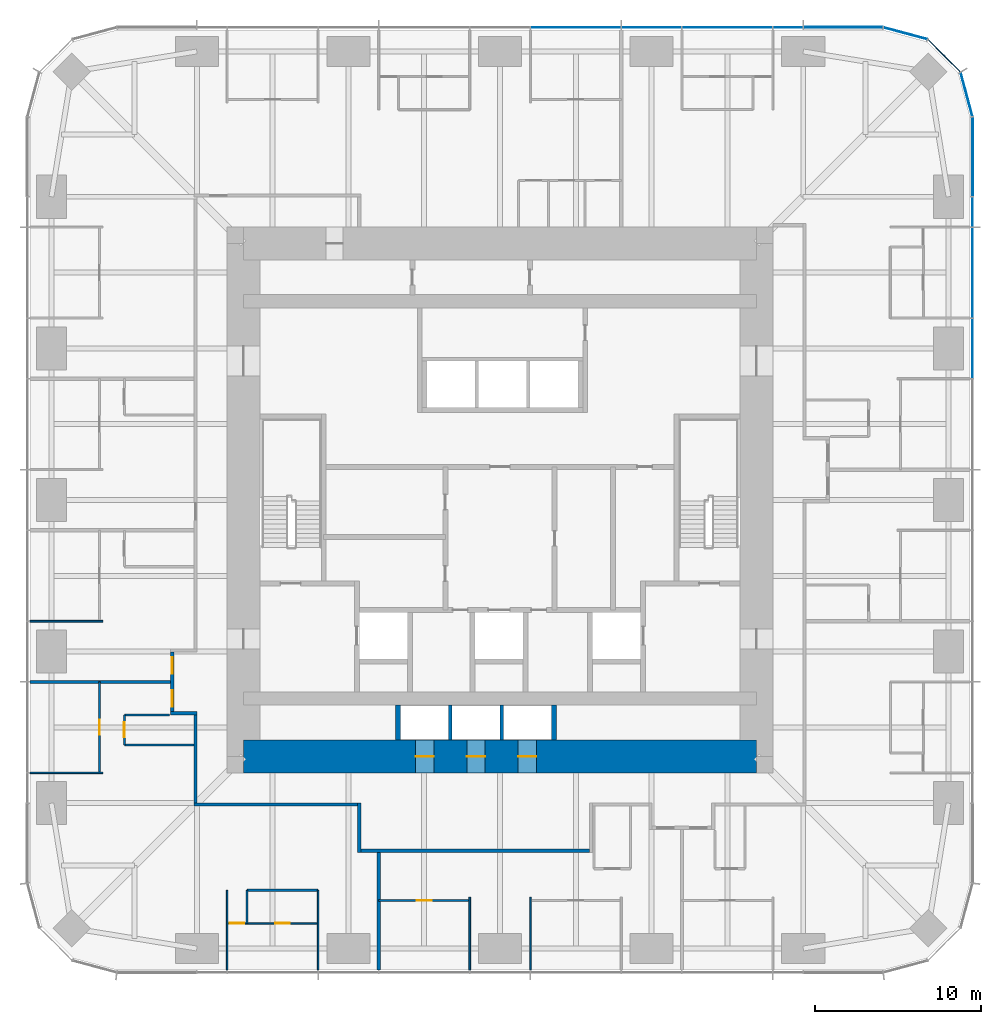
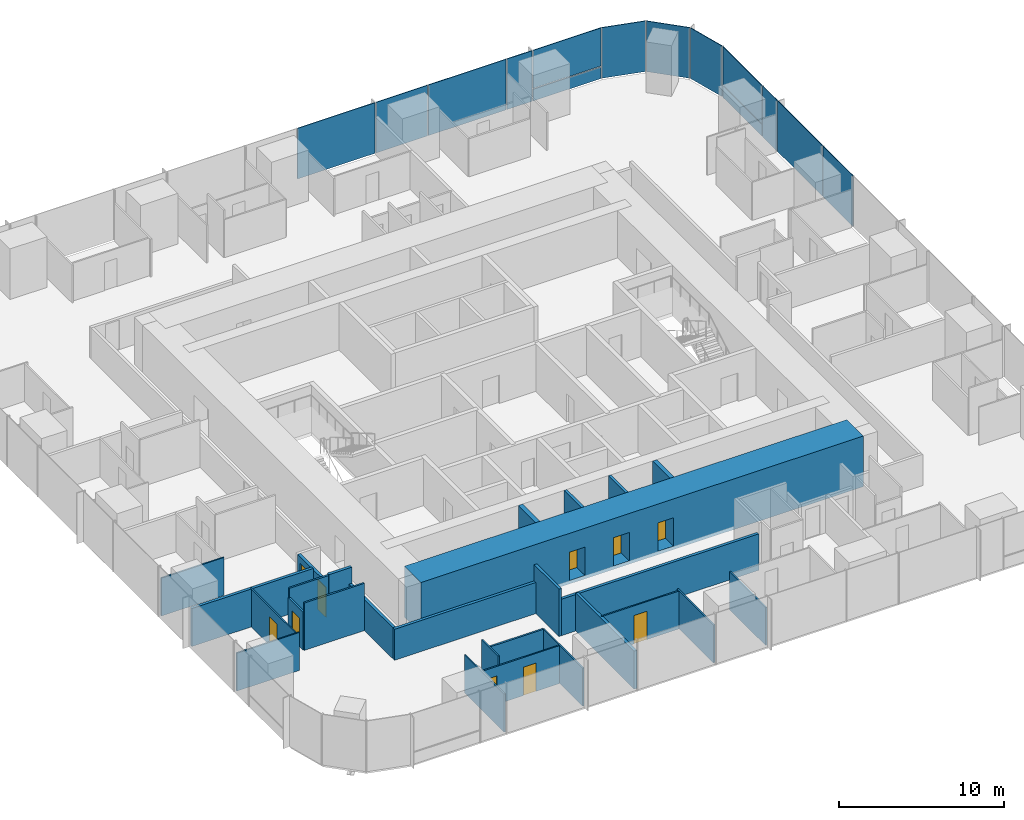
# One storey, part 8 of 13: 27 walls, 14 plates, 10 doors, 10 openings, 3 elements without a shape of their own.
"""IFC4 building model written with IfcOpenShell, lengths in metres."""

from ifc_helpers import new_model, si_unit, direction, frame, frame_2d, origin, origin_2d, place, context, subcontext, project, spatial, rectangle, extrude, material, layer, layer_set, type_object, element, fill, aggregate, save


model = new_model("IFC4")

# Units and contexts
model_context = context("Model", 3, precision=1e-05, world=origin(), true_north=direction((0.0, 1.0)))
body_context = subcontext(model_context, "Body", "Model", "MODEL_VIEW")
ifc_project = project(units=[si_unit("LENGTHUNIT", "METRE"), si_unit("AREAUNIT", "SQUARE_METRE"), si_unit("VOLUMEUNIT", "CUBIC_METRE"), si_unit("PLANEANGLEUNIT", "RADIAN"), si_unit("MASSUNIT", "GRAM", prefix="KILO")], contexts=[model_context])

# Site, building, storey
site_placement = place(None, origin())
site = spatial("IfcSite", under=ifc_project, at=site_placement, CompositionType="ELEMENT")
building_placement = place(site_placement, origin())
building = spatial("IfcBuilding", under=site, at=building_placement, Name="Khuree Lantern Residences", CompositionType="ELEMENT")
storey_placement = place(building_placement, frame((0.0, 0.0, 156.0)))
storey = spatial("IfcBuildingStorey", under=building, at=storey_placement, Name="L39", CompositionType="ELEMENT", Elevation=156.0)

# Curtain wall, plates
ifc_material_1 = material(Name="Bronze anodised aluminium", Category="aluminium")
curtain_wall_type_1 = type_object("IfcCurtainWallType", Name="CW-T2 TOWER CORNER CURTAIN WALL", PredefinedType="USERDEFINED", material=ifc_material_1)
curtain_wall_1_placement = place(storey_placement, origin())
curtain_wall_1 = element("IfcCurtainWall", 1, at=curtain_wall_1_placement, inside=storey, type_object=curtain_wall_type_1, Name="L39 NORTH-EAST CORNER CURTAIN WALL", ObjectType="Faceted corner curtain wall", PredefinedType="USERDEFINED")
ifc_material_2 = material(Name="Bronze tinted triple glazing", Category="glass")
ifc_layer_1 = layer(ifc_material_2, 0.048095703125)
ifc_layer_set_1 = layer_set([ifc_layer_1], Name="FACET PANEL P4")
plate_type_1 = type_object("IfcPlateType", Name="FACET PANEL P4", PredefinedType="CURTAIN_PANEL", material=ifc_layer_set_1)
plate_1_placement = place(storey_placement, frame((28.188720703125, 24.498046875, 0.0), z_axis=(0.0, 0.0, 1.0), x_axis=(-0.258819105321, 0.965925810153, 0.0)))
plate_1 = element("IfcPlate", 2, at=plate_1_placement, type_object=plate_type_1, Name="L39 NORTH-EAST CORNER PANEL 15.1", PredefinedType="CURTAIN_PANEL", context=body_context, shape_type="SweptSolid", body=[
    extrude(rectangle(XDim=2.71923828125, YDim=0.048095703125, at=origin_2d()), origin(), (0.0, 0.0, 1.0), 3.75),
])
plate_2_placement = place(storey_placement, frame((26.83837890625, 26.83837890625, 0.0), z_axis=(0.0, 0.0, 1.0), x_axis=(-0.707106781187, 0.707106781187, 0.0)))
plate_2 = element("IfcPlate", 3, at=plate_2_placement, type_object=plate_type_1, Name="L39 NORTH-EAST CORNER PANEL 16.1", PredefinedType="CURTAIN_PANEL", context=body_context, shape_type="SweptSolid", body=[
    extrude(rectangle(XDim=2.715087890625, YDim=0.048095703125, at=origin_2d()), origin(), (0.0, 0.0, 1.0), 3.75),
])
plate_3_placement = place(storey_placement, frame((24.498046875, 28.188720703125, 0.0), z_axis=(0.0, 0.0, 1.0), x_axis=(-0.965925810153, 0.258819105321, 0.0)))
plate_3 = element("IfcPlate", 4, at=plate_3_placement, type_object=plate_type_1, Name="L39 NORTH-EAST CORNER PANEL 17.1", PredefinedType="CURTAIN_PANEL", context=body_context, shape_type="SweptSolid", body=[
    extrude(rectangle(XDim=2.71923828125, YDim=0.048095703125, at=origin_2d()), origin(), (0.0, 0.0, 1.0), 3.75),
])
aggregate(curtain_wall_1, [plate_1, plate_2, plate_3])

# Curtain wall, plate
curtain_wall_type_2 = type_object("IfcCurtainWallType", Name="CW-T1 TOWER FACE CURTAIN WALL", PredefinedType="USERDEFINED", material=ifc_material_1)
curtain_wall_2_placement = place(storey_placement, origin())
curtain_wall_2 = element("IfcCurtainWall", 5, at=curtain_wall_2_placement, inside=storey, type_object=curtain_wall_type_2, Name="L39 EAST FACE CURTAIN WALL", ObjectType="Stick-built curtain wall", PredefinedType="USERDEFINED")
ifc_material_3 = material(Name="Bronze tinted triple glazing with a ceramic-fritted spandrel band", Category="glass")
ifc_layer_2 = layer(ifc_material_3, 0.048095703125)
ifc_layer_set_2 = layer_set([ifc_layer_2], Name="FIXED LIGHT PANEL P11")
plate_type_2 = type_object("IfcPlateType", Name="FIXED LIGHT PANEL P11", PredefinedType="CURTAIN_PANEL", material=ifc_layer_set_2)
plate_4_placement = place(storey_placement, frame((28.550048828125, 13.739990234375, 0.0), z_axis=(0.0, 0.0, 1.0), x_axis=(0.0, 1.0, 0.0)))
plate_4 = element("IfcPlate", 6, at=plate_4_placement, type_object=plate_type_2, Name="L39 EAST FACE PANEL 12.1", PredefinedType="CURTAIN_PANEL", context=body_context, shape_type="SweptSolid", body=[
    extrude(rectangle(XDim=5.430908203125, YDim=0.048095703125, at=origin_2d()), origin(), (0.0, 0.0, 1.0), 3.75),
])

# Curtain wall, plates
curtain_wall_3_placement = place(storey_placement, origin())
curtain_wall_3 = element("IfcCurtainWall", 7, at=curtain_wall_3_placement, inside=storey, type_object=curtain_wall_type_2, Name="L39 NORTH FACE CURTAIN WALL", ObjectType="Stick-built curtain wall", PredefinedType="USERDEFINED")
plate_5_placement = place(storey_placement, frame((13.739990234375, 28.550048828125, 0.0), z_axis=(0.0, 0.0, 1.0), x_axis=(-1.0, 0.0, 0.0)))
plate_5 = element("IfcPlate", 8, at=plate_5_placement, type_object=plate_type_2, Name="L39 NORTH FACE PANEL 20.1", PredefinedType="CURTAIN_PANEL", context=body_context, shape_type="SweptSolid", body=[
    extrude(rectangle(XDim=5.430908203125, YDim=0.048095703125, at=origin_2d()), origin(), (0.0, 0.0, 1.0), 3.75),
])
plate_6_placement = place(storey_placement, frame((4.580078125, 28.550048828125, 0.0), z_axis=(0.0, 0.0, 1.0), x_axis=(-1.0, 0.0, 0.0)))
plate_6 = element("IfcPlate", 9, at=plate_6_placement, type_object=plate_type_2, Name="L39 NORTH FACE PANEL 22.1", PredefinedType="CURTAIN_PANEL", context=body_context, shape_type="SweptSolid", body=[
    extrude(rectangle(XDim=5.430908203125, YDim=0.048095703125, at=origin_2d()), origin(), (0.0, 0.0, 1.0), 3.75),
])

# Plate
ifc_material_4 = material(Name="Bronze tinted triple glazing, two aluminium-framed sashes in one frame", Category="aluminium")
ifc_layer_3 = layer(ifc_material_4, 0.048095703125)
ifc_layer_set_3 = layer_set([ifc_layer_3], Name="SASH PAIR PANEL P12")
plate_type_3 = type_object("IfcPlateType", Name="SASH PAIR PANEL P12", PredefinedType="CURTAIN_PANEL", material=ifc_layer_set_3)
plate_7_placement = place(storey_placement, frame((28.550048828125, 9.159912109375, 0.0), z_axis=(0.0, 0.0, 1.0), x_axis=(0.0, 1.0, 0.0)))
plate_7 = element("IfcPlate", 10, at=plate_7_placement, type_object=plate_type_3, Name="L39 EAST FACE PANEL 11.1", PredefinedType="CURTAIN_PANEL", context=body_context, shape_type="SweptSolid", body=[
    extrude(rectangle(XDim=3.59912109375, YDim=0.048095703125, at=origin_2d()), origin(), (0.0, 0.0, 1.0), 3.75),
])

plate_8_placement = place(storey_placement, frame((9.159912109375, 28.550048828125, 0.0), z_axis=(0.0, 0.0, 1.0), x_axis=(-1.0, 0.0, 0.0)))
plate_8 = element("IfcPlate", 11, at=plate_8_placement, type_object=plate_type_3, Name="L39 NORTH FACE PANEL 21.1", PredefinedType="CURTAIN_PANEL", context=body_context, shape_type="SweptSolid", body=[
    extrude(rectangle(XDim=3.59912109375, YDim=0.048095703125, at=origin_2d()), origin(), (0.0, 0.0, 1.0), 3.75),
])

ifc_material_5 = material(Name="Bronze tinted triple glazing, aluminium-framed sash", Category="aluminium")
ifc_layer_4 = layer(ifc_material_5, 0.048095703125)
ifc_layer_set_4 = layer_set([ifc_layer_4], Name="SASH PANEL P3")
plate_type_4 = type_object("IfcPlateType", Name="SASH PANEL P3", PredefinedType="CURTAIN_PANEL", material=ifc_layer_set_4)
plate_9_placement = place(storey_placement, frame((28.550048828125, 17.404052734375, 0.0), z_axis=(0.0, 0.0, 1.0), x_axis=(0.0, 1.0, 0.0)))
plate_9 = element("IfcPlate", 12, at=plate_9_placement, type_object=plate_type_4, Name="L39 EAST FACE PANEL 13.1", PredefinedType="CURTAIN_PANEL", context=body_context, shape_type="SweptSolid", body=[
    extrude(rectangle(XDim=1.76708984375, YDim=0.048095703125, at=origin_2d()), origin(), (0.0, 0.0, 1.0), 3.75),
])

plate_10_placement = place(storey_placement, frame((17.404052734375, 28.550048828125, 0.0), z_axis=(0.0, 0.0, 1.0), x_axis=(-1.0, 0.0, 0.0)))
plate_10 = element("IfcPlate", 13, at=plate_10_placement, type_object=plate_type_4, Name="L39 NORTH FACE PANEL 19.1", PredefinedType="CURTAIN_PANEL", context=body_context, shape_type="SweptSolid", body=[
    extrude(rectangle(XDim=1.76708984375, YDim=0.048095703125, at=origin_2d()), origin(), (0.0, 0.0, 1.0), 3.75),
])

ifc_material_6 = material(Name="Bronze anodised aluminium insulated spandrel", Category="aluminium")
ifc_layer_5 = layer(ifc_material_6, 0.06005859375)
ifc_layer_set_5 = layer_set([ifc_layer_5], Name="SPANDREL PANEL P2")
plate_type_5 = type_object("IfcPlateType", Name="SPANDREL PANEL P2", PredefinedType="CURTAIN_PANEL", material=ifc_layer_set_5)
plate_11_placement = place(storey_placement, frame((28.550048828125, 20.73291015625, 0.0), z_axis=(0.0, 0.0, 1.0), x_axis=(0.0, 1.0, 0.0)))
plate_11 = element("IfcPlate", 14, at=plate_11_placement, type_object=plate_type_5, Name="L39 EAST FACE PANEL 14.1", PredefinedType="CURTAIN_PANEL", context=body_context, shape_type="SweptSolid", body=[
    extrude(rectangle(XDim=4.7607421875, YDim=0.06005859375, at=origin_2d()), origin(), (0.0, 0.0, 1.0), 0.867431640625),
])

plate_12_placement = place(storey_placement, frame((20.73291015625, 28.550048828125, 0.0), z_axis=(0.0, 0.0, 1.0), x_axis=(-1.0, 0.0, 0.0)))
plate_12 = element("IfcPlate", 15, at=plate_12_placement, type_object=plate_type_5, Name="L39 NORTH FACE PANEL 18.1", PredefinedType="CURTAIN_PANEL", context=body_context, shape_type="SweptSolid", body=[
    extrude(rectangle(XDim=4.7607421875, YDim=0.06005859375, at=origin_2d()), origin(), (0.0, 0.0, 1.0), 0.867431640625),
])

ifc_layer_6 = layer(ifc_material_2, 0.048095703125)
ifc_layer_set_6 = layer_set([ifc_layer_6], Name="VISION PANEL P1")
plate_type_6 = type_object("IfcPlateType", Name="VISION PANEL P1", PredefinedType="CURTAIN_PANEL", material=ifc_layer_set_6)
plate_13_placement = place(storey_placement, frame((28.550048828125, 20.7333984375, 0.9326171875), z_axis=(0.0, 0.0, 1.0), x_axis=(0.0, 1.0, 0.0)))
plate_13 = element("IfcPlate", 16, at=plate_13_placement, type_object=plate_type_6, Name="L39 EAST FACE PANEL 14.2", PredefinedType="CURTAIN_PANEL", context=body_context, shape_type="SweptSolid", body=[
    extrude(rectangle(XDim=4.761474609375, YDim=0.048095703125, at=origin_2d()), origin(), (0.0, 0.0, 1.0), 2.8173828125),
])

aggregate(curtain_wall_2, [plate_7, plate_4, plate_9, plate_11, plate_13])

plate_14_placement = place(storey_placement, frame((20.7333984375, 28.550048828125, 0.9326171875), z_axis=(0.0, 0.0, 1.0), x_axis=(-1.0, 0.0, 0.0)))
plate_14 = element("IfcPlate", 17, at=plate_14_placement, type_object=plate_type_6, Name="L39 NORTH FACE PANEL 18.2", PredefinedType="CURTAIN_PANEL", context=body_context, shape_type="SweptSolid", body=[
    extrude(rectangle(XDim=4.761474609375, YDim=0.048095703125, at=origin_2d()), origin(), (0.0, 0.0, 1.0), 2.8173828125),
])

aggregate(curtain_wall_3, [plate_12, plate_14, plate_10, plate_5, plate_8, plate_6])

# Wall
ifc_material_7 = material(Name="Moisture-resistant gypsum board on steel studs", Category="steel")
ifc_layer_7 = layer(ifc_material_7, 0.125)
ifc_layer_set_7 = layer_set([ifc_layer_7], Name="BATHROOM WALL BTW125")
wall_type_1 = type_object("IfcWallType", Name="BATHROOM WALL BTW125", PredefinedType="PARTITIONING", material=ifc_layer_set_7)
wall_1_placement = place(storey_placement, frame((-15.2880859375, -23.579833984375, 0.0), z_axis=(0.0, 0.0, 1.0), x_axis=(1.0, 0.0, 0.0)))
element("IfcWall", 18, at=wall_1_placement, inside=storey, type_object=wall_type_1, Name="L39 BATHROOM WALL 06", PredefinedType="PARTITIONING", context=body_context, shape_type="SweptSolid", body=[
    extrude(rectangle(XDim=4.296142578125, YDim=0.125, at=frame_2d((2.14794921875, 0.0))), origin(), (0.0, 0.0, 1.0), 2.81005859375),
])

# Wall, opening, door
wall_2_placement = place(storey_placement, frame((-22.699951171875, -12.991943359375, 0.0), z_axis=(0.0, 0.0, 1.0), x_axis=(0.0, -1.0, 0.0)))
wall_2 = element("IfcWall", 19, at=wall_2_placement, inside=storey, type_object=wall_type_1, Name="L39 BATHROOM WALL 06", PredefinedType="PARTITIONING", context=body_context, shape_type="SweptSolid", body=[
    extrude(rectangle(XDim=1.800048828125, YDim=0.125, at=frame_2d((0.89990234375, 0.0))), origin(), (0.0, 0.0, 1.0), 2.81005859375),
])
opening_1_placement = place(wall_2_placement, frame((0.449951171875, 0.0, 0.0)))
opening_1 = element("IfcOpeningElement", 20, at=opening_1_placement, cuts=wall_2, Name="Opening 39-052", PredefinedType="OPENING", context=body_context, shape_type="SweptSolid", body=[
    extrude(rectangle(XDim=0.89990234375, YDim=2.10009765625, at=frame_2d((0.449951171875, 1.050048828125))), frame((0.0, 0.072509765625, 0.0), z_axis=(0.0, -1.0, 0.0), x_axis=(1.0, 0.0, 0.0)), (0.0, 0.0, 1.0), 0.14501953125),
])
ifc_material_8 = material(Name="Timber door leaf in hardwood frame", Category="wood")
door_type_1 = type_object("IfcDoorType", Name="BATHROOM DOOR 900X2100", OperationType="SINGLE_SWING_LEFT", PredefinedType="DOOR", material=ifc_material_8)
door_1_placement = place(opening_1_placement, origin())
door_1 = element("IfcDoor", 21, at=door_1_placement, inside=storey, type_object=door_type_1, Name="Bathroom door 39-052", OperationType="SINGLE_SWING_LEFT", OverallHeight=2.10009765625, OverallWidth=0.89990234375, PredefinedType="DOOR", context=body_context, shape_type="SweptSolid", body=[
    extrude(rectangle(XDim=0.89990234375, YDim=2.10009765625, at=frame_2d((0.449951171875, 1.050048828125))), frame((0.0, 0.02490234375, 0.0), z_axis=(0.0, -1.0, 0.0), x_axis=(1.0, 0.0, 0.0)), (0.0, 0.0, 1.0), 0.050048828125),
])
fill(opening_1, door_1)

# Walls
wall_3_placement = place(storey_placement, frame((-19.969970703125, -12.991943359375, 0.0), z_axis=(0.0, 0.0, 1.0), x_axis=(-1.0, 0.0, 0.0)))
element("IfcWall", 22, at=wall_3_placement, inside=storey, type_object=wall_type_1, Name="L39 BATHROOM WALL 06", PredefinedType="PARTITIONING", context=body_context, shape_type="SweptSolid", body=[
    extrude(rectangle(XDim=2.72998046875, YDim=0.125, at=frame_2d((1.364990234375, 0.0))), origin(), (0.0, 0.0, 1.0), 3.5),
])
wall_4_placement = place(storey_placement, frame((-18.5, -14.7919921875, 0.0), z_axis=(0.0, 0.0, 1.0), x_axis=(-1.0, 0.0, 0.0)))
element("IfcWall", 23, at=wall_4_placement, inside=storey, type_object=wall_type_1, Name="L39 BATHROOM WALL 06", PredefinedType="PARTITIONING", context=body_context, shape_type="SweptSolid", body=[
    extrude(rectangle(XDim=4.199951171875, YDim=0.125, at=frame_2d((2.10009765625, 0.0))), origin(), (0.0, 0.0, 1.0), 3.5),
])
ifc_material_9 = material(Name="Dense concrete blockwork", Category="masonry")
ifc_layer_8 = layer(ifc_material_9, 0.300048828125)
ifc_layer_set_8 = layer_set([ifc_layer_8], Name="CORE PARTITION WALL CPW300 EI 120")
wall_type_2 = type_object("IfcWallType", Name="CORE PARTITION WALL CPW300 EI 120", PredefinedType="PARTITIONING", material=ifc_layer_set_8)
for number, where, z_axis, x_axis, name in (
    (24, (-6.14990234375, -14.5, 0.0), (0.0, 0.0, 1.0), (0.0, 1.0, 0.0), "L39 CORE WALL PMW"),
    (25, (3.25, -14.5, 0.0), (0.0, 0.0, 1.0), (0.0, 1.0, 0.0), "L39 CORE WALL PME"),
):
    element("IfcWall", number, at=place(storey_placement, frame(where, z_axis=z_axis, x_axis=x_axis)), inside=storey, type_object=wall_type_2, Name=name, PredefinedType="PARTITIONING", context=body_context, shape_type="SweptSolid", body=[
        extrude(rectangle(XDim=2.10009765625, YDim=0.300048828125, at=frame_2d((1.050048828125, 0.0))), origin(), (0.0, 0.0, 1.0), 3.5),
    ])
ifc_material_10 = material(Name="Gypsum board on steel studs", Category="steel")
ifc_layer_9 = layer(ifc_material_10, 0.199951171875)
ifc_layer_set_9 = layer_set([ifc_layer_9], Name="CORRIDOR WALL CRW200 EI 60")
wall_type_3 = type_object("IfcWallType", Name="CORRIDOR WALL CRW200 EI 60", PredefinedType="PARTITIONING", material=ifc_layer_set_9)
wall_5_placement = place(storey_placement, frame((-18.300048828125, -12.89208984375, 0.0), z_axis=(0.0, 0.0, 1.0), x_axis=(-1.0, 0.0, 0.0)))
element("IfcWall", 26, at=wall_5_placement, inside=storey, type_object=wall_type_3, Name="L39 CORRIDOR ALCOVE WALL WEST", PredefinedType="PARTITIONING", context=body_context, shape_type="SweptSolid", body=[
    extrude(rectangle(XDim=1.599853515625, YDim=0.199951171875, at=frame_2d((0.7998046875, 0.0))), origin(), (0.0, 0.0, 1.0), 3.5),
])

# Wall, openings, doors
wall_6_placement = place(storey_placement, frame((-19.800048828125, -9.19189453125, 0.0), z_axis=(0.0, 0.0, 1.0), x_axis=(0.0, -1.0, 0.0)))
wall_6 = element("IfcWall", 27, at=wall_6_placement, inside=storey, type_object=wall_type_3, Name="L39 CORRIDOR ALCOVE WALL WEST", PredefinedType="PARTITIONING", context=body_context, shape_type="SweptSolid", body=[
    extrude(rectangle(XDim=3.60009765625, YDim=0.199951171875, at=frame_2d((1.800048828125, 0.0))), origin(), (0.0, 0.0, 1.0), 2.699951171875),
])
opening_2_placement = place(wall_6_placement, frame((0.300048828125, 0.0, 0.0)))
opening_2 = element("IfcOpeningElement", 28, at=opening_2_placement, cuts=wall_6, Name="Opening 39-048", PredefinedType="OPENING", context=body_context, shape_type="SweptSolid", body=[
    extrude(rectangle(XDim=1.0, YDim=2.199951171875, at=frame_2d((0.5, 1.10009765625))), frame((0.0, 0.10986328125, 0.0), z_axis=(0.0, -1.0, 0.0), x_axis=(1.0, 0.0, 0.0)), (0.0, 0.0, 1.0), 0.219970703125),
])
opening_3_placement = place(wall_6_placement, frame((2.300048828125, 0.0, 0.0)))
opening_3 = element("IfcOpeningElement", 29, at=opening_3_placement, cuts=wall_6, Name="Opening 39-053", PredefinedType="OPENING", context=body_context, shape_type="SweptSolid", body=[
    extrude(rectangle(XDim=1.0, YDim=2.199951171875, at=frame_2d((0.5, 1.10009765625))), frame((0.0, 0.10986328125, 0.0), z_axis=(0.0, -1.0, 0.0), x_axis=(1.0, 0.0, 0.0)), (0.0, 0.0, 1.0), 0.219970703125),
])
door_type_2 = type_object("IfcDoorType", Name="APARTMENT ENTRANCE DOOR 1000X2200 EI 30S", OperationType="SINGLE_SWING_LEFT", PredefinedType="DOOR", material=ifc_material_8)
door_2_placement = place(opening_2_placement, origin())
door_2 = element("IfcDoor", 30, at=door_2_placement, inside=storey, type_object=door_type_2, Name="Apartment 05 entrance door 39-048", OperationType="SINGLE_SWING_LEFT", OverallHeight=2.199951171875, OverallWidth=1.0, PredefinedType="DOOR", context=body_context, shape_type="SweptSolid", body=[
    extrude(rectangle(XDim=1.0, YDim=2.199951171875, at=frame_2d((0.5, 1.10009765625))), frame((0.0, 0.02490234375, 0.0), z_axis=(0.0, -1.0, 0.0), x_axis=(1.0, 0.0, 0.0)), (0.0, 0.0, 1.0), 0.050048828125),
])
fill(opening_2, door_2)
door_type_3 = type_object("IfcDoorType", Name="APARTMENT ENTRANCE DOOR 1000X2200 EI 30S RIGHT HAND", OperationType="SINGLE_SWING_RIGHT", PredefinedType="DOOR", material=ifc_material_8)
door_3_placement = place(opening_3_placement, origin())
door_3 = element("IfcDoor", 31, at=door_3_placement, inside=storey, type_object=door_type_3, Name="Apartment 06 entrance door 39-053", OperationType="SINGLE_SWING_RIGHT", OverallHeight=2.199951171875, OverallWidth=1.0, PredefinedType="DOOR", context=body_context, shape_type="SweptSolid", body=[
    extrude(rectangle(XDim=1.0, YDim=2.199951171875, at=frame_2d((0.5, 1.10009765625))), frame((0.0, 0.02490234375, 0.0), z_axis=(0.0, -1.0, 0.0), x_axis=(1.0, 0.0, 0.0)), (0.0, 0.0, 1.0), 0.050048828125),
])
fill(opening_3, door_3)

# Walls
wall_7_placement = place(storey_placement, frame((-18.39990234375, -12.991943359375, 0.0), z_axis=(0.0, 0.0, 1.0), x_axis=(0.0, -1.0, 0.0)))
element("IfcWall", 32, at=wall_7_placement, inside=storey, type_object=wall_type_3, Name="L39 CORRIDOR WALL WEST 2", PredefinedType="PARTITIONING", context=body_context, shape_type="SweptSolid", body=[
    extrude(rectangle(XDim=5.30810546875, YDim=0.199951171875, at=frame_2d((2.654052734375, 0.0))), origin(), (0.0, 0.0, 1.0), 2.300048828125),
])
wall_8_placement = place(storey_placement, frame((-8.5, -18.300048828125, 0.0), z_axis=(0.0, 0.0, 1.0), x_axis=(0.0, -1.0, 0.0)))
element("IfcWall", 33, at=wall_8_placement, inside=storey, type_object=wall_type_3, Name="L39 LIFT LOBBY WALL", PredefinedType="PARTITIONING", context=body_context, shape_type="SweptSolid", body=[
    extrude(rectangle(XDim=3.0, YDim=0.199951171875, at=frame_2d((1.5, 0.0))), origin(), (0.0, 0.0, 1.0), 3.5),
])
wall_9_placement = place(storey_placement, frame((5.39990234375, -21.199951171875, 0.0), z_axis=(0.0, 0.0, 1.0), x_axis=(-1.0, 0.0, 0.0)))
element("IfcWall", 34, at=wall_9_placement, inside=storey, type_object=wall_type_3, Name="L39 LIFT LOBBY WALL", PredefinedType="PARTITIONING", context=body_context, shape_type="SweptSolid", body=[
    extrude(rectangle(XDim=13.7998046875, YDim=0.199951171875, at=frame_2d((6.89990234375, 0.0))), origin(), (0.0, 0.0, 1.0), 2.699951171875),
])
wall_10_placement = place(storey_placement, frame((-8.60009765625, -18.39990234375, 0.0), z_axis=(0.0, 0.0, 1.0), x_axis=(-1.0, 0.0, 0.0)))
element("IfcWall", 35, at=wall_10_placement, inside=storey, type_object=wall_type_3, Name="L39 CORRIDOR WALL SOUTH 3", PredefinedType="PARTITIONING", context=body_context, shape_type="SweptSolid", body=[
    extrude(rectangle(XDim=9.89990234375, YDim=0.199951171875, at=frame_2d((4.949951171875, 0.0))), origin(), (0.0, 0.0, 1.0), 2.300048828125),
])

# Wall, openings, doors
ifc_material_11 = material(Name="Concrete C70/85", Category="concrete")
ifc_layer_10 = layer(ifc_material_11, 2.0)
ifc_layer_set_10 = layer_set([ifc_layer_10], Name="CW2000-C70 CORE WALL C70 2000")
wall_type_4 = type_object("IfcWallType", Name="CW2000-C70 CORE WALL C70 2000", PredefinedType="SHEAR", material=ifc_layer_set_10)
wall_11_placement = place(storey_placement, frame((-15.5, -15.5, -0.25), z_axis=(0.0, 0.0, 1.0), x_axis=(1.0, 0.0, 0.0)))
wall_11 = element("IfcWall", 36, at=wall_11_placement, inside=storey, type_object=wall_type_4, Name="Core wall S", PredefinedType="SHEAR", context=body_context, shape_type="SweptSolid", body=[
    extrude(rectangle(XDim=31.0, YDim=2.0, at=frame_2d((15.5, 0.0))), origin(), (0.0, 0.0, 1.0), 3.75),
])
opening_4_placement = place(wall_11_placement, frame((10.39990234375, 0.0, 0.25)))
opening_4 = element("IfcOpeningElement", 37, at=opening_4_placement, cuts=wall_11, Name="Opening 39-009", PredefinedType="OPENING", context=body_context, shape_type="SweptSolid", body=[
    extrude(rectangle(XDim=1.10009765625, YDim=2.10009765625, at=frame_2d((0.550048828125, 1.050048828125))), frame((0.0, 1.010009765625, 0.0), z_axis=(0.0, -1.0, 0.0), x_axis=(1.0, 0.0, 0.0)), (0.0, 0.0, 1.0), 2.02001953125),
])
opening_5_placement = place(wall_11_placement, frame((13.5, 0.0, 0.25)))
opening_5 = element("IfcOpeningElement", 38, at=opening_5_placement, cuts=wall_11, Name="Opening 39-010", PredefinedType="OPENING", context=body_context, shape_type="SweptSolid", body=[
    extrude(rectangle(XDim=1.10009765625, YDim=2.10009765625, at=frame_2d((0.550048828125, 1.050048828125))), frame((0.0, 1.010009765625, 0.0), z_axis=(0.0, -1.0, 0.0), x_axis=(1.0, 0.0, 0.0)), (0.0, 0.0, 1.0), 2.02001953125),
])
opening_6_placement = place(wall_11_placement, frame((16.60009765625, 0.0, 0.25)))
opening_6 = element("IfcOpeningElement", 39, at=opening_6_placement, cuts=wall_11, Name="Opening 39-011", PredefinedType="OPENING", context=body_context, shape_type="SweptSolid", body=[
    extrude(rectangle(XDim=1.10009765625, YDim=2.10009765625, at=frame_2d((0.550048828125, 1.050048828125))), frame((0.0, 1.010009765625, 0.0), z_axis=(0.0, -1.0, 0.0), x_axis=(1.0, 0.0, 0.0)), (0.0, 0.0, 1.0), 2.02001953125),
])
ifc_material_12 = material(Name="Stainless steel lift landing door", Category="steel")
door_type_4 = type_object("IfcDoorType", Name="LIFT LANDING DOOR 1100X2100 E 60", OperationType="DOUBLE_DOOR_SLIDING", PredefinedType="DOOR", material=ifc_material_12)
door_4_placement = place(opening_4_placement, origin())
door_4 = element("IfcDoor", 40, at=door_4_placement, inside=storey, type_object=door_type_4, Name="Landing door PM1 39-009", OperationType="DOUBLE_DOOR_SLIDING", OverallHeight=2.10009765625, OverallWidth=1.10009765625, PredefinedType="DOOR", context=body_context, shape_type="SweptSolid", body=[
    extrude(rectangle(XDim=1.10009765625, YDim=2.10009765625, at=frame_2d((0.550048828125, 1.050048828125))), frame((0.0, 0.02490234375, 0.0), z_axis=(0.0, -1.0, 0.0), x_axis=(1.0, 0.0, 0.0)), (0.0, 0.0, 1.0), 0.050048828125),
])
fill(opening_4, door_4)
door_5_placement = place(opening_5_placement, origin())
door_5 = element("IfcDoor", 41, at=door_5_placement, inside=storey, type_object=door_type_4, Name="Landing door PM2 39-010", OperationType="DOUBLE_DOOR_SLIDING", OverallHeight=2.10009765625, OverallWidth=1.10009765625, PredefinedType="DOOR", context=body_context, shape_type="SweptSolid", body=[
    extrude(rectangle(XDim=1.10009765625, YDim=2.10009765625, at=frame_2d((0.550048828125, 1.050048828125))), frame((0.0, 0.02490234375, 0.0), z_axis=(0.0, -1.0, 0.0), x_axis=(1.0, 0.0, 0.0)), (0.0, 0.0, 1.0), 0.050048828125),
])
fill(opening_5, door_5)
door_6_placement = place(opening_6_placement, origin())
door_6 = element("IfcDoor", 42, at=door_6_placement, inside=storey, type_object=door_type_4, Name="Landing door PM3 39-011", OperationType="DOUBLE_DOOR_SLIDING", OverallHeight=2.10009765625, OverallWidth=1.10009765625, PredefinedType="DOOR", context=body_context, shape_type="SweptSolid", body=[
    extrude(rectangle(XDim=1.10009765625, YDim=2.10009765625, at=frame_2d((0.550048828125, 1.050048828125))), frame((0.0, 0.02490234375, 0.0), z_axis=(0.0, -1.0, 0.0), x_axis=(1.0, 0.0, 0.0)), (0.0, 0.0, 1.0), 0.050048828125),
])
fill(opening_6, door_6)

# Walls
ifc_layer_11 = layer(ifc_material_10, 0.199951171875)
ifc_layer_set_11 = layer_set([ifc_layer_11], Name="DEMISING WALL DMW200 EI 90")
wall_type_5 = type_object("IfcWallType", Name="DEMISING WALL DMW200 EI 90", PredefinedType="PARTITIONING", material=ifc_layer_set_11)
wall_12_placement = place(storey_placement, frame((-19.89990234375, -10.991943359375, 0.0), z_axis=(0.0, 0.0, 1.0), x_axis=(-1.0, 0.0, 0.0)))
element("IfcWall", 43, at=wall_12_placement, inside=storey, type_object=wall_type_5, Name="L39 DEMISING WALL 06", PredefinedType="PARTITIONING", context=body_context, shape_type="SweptSolid", body=[
    extrude(rectangle(XDim=8.5, YDim=0.199951171875, at=frame_2d((4.25, 0.0))), origin(), (0.0, 0.0, 1.0), 2.81005859375),
])
wall_13_placement = place(storey_placement, frame((-7.327880859375, -21.300048828125, 0.0), z_axis=(0.0, 0.0, 1.0), x_axis=(0.0, -1.0, 0.0)))
element("IfcWall", 44, at=wall_13_placement, inside=storey, type_object=wall_type_5, Name="L39 DEMISING WALL 07", PredefinedType="PARTITIONING", context=body_context, shape_type="SweptSolid", body=[
    extrude(rectangle(XDim=7.099853515625, YDim=0.199951171875, at=frame_2d((3.5498046875, 0.0))), origin(), (0.0, 0.0, 1.0), 2.81005859375),
])
ifc_layer_12 = layer(ifc_material_10, 0.10009765625)
ifc_layer_set_12 = layer_set([ifc_layer_12], Name="PARTITION PT100")
wall_type_6 = type_object("IfcWallType", Name="PARTITION PT100", PredefinedType="PARTITIONING", material=ifc_layer_set_12)
for number, where, z_axis, x_axis, name in (
    (45, (-24.0, -7.327880859375, 0.0), (0.0, 0.0, 1.0), (-1.0, 0.0, 0.0), "L39 PARTITION 05"),
    (46, (-24.0, -16.488037109375, 0.0), (0.0, 0.0, 1.0), (-1.0, 0.0, 0.0), "L39 PARTITION 06"),
):
    element("IfcWall", number, at=place(storey_placement, frame(where, z_axis=z_axis, x_axis=x_axis)), inside=storey, type_object=wall_type_6, Name=name, PredefinedType="PARTITIONING", context=body_context, shape_type="SweptSolid", body=[
        extrude(rectangle(XDim=4.39990234375, YDim=0.10009765625, at=frame_2d((2.199951171875, 0.0))), origin(), (0.0, 0.0, 1.0), 2.81005859375),
    ])
for number, where, z_axis, x_axis, name in (
    (47, (-16.488037109375, -23.579833984375, 0.0), (0.0, 0.0, 1.0), (0.0, -1.0, 0.0), "L39 PARTITION 06"),
    (48, (-10.991943359375, -23.579833984375, 0.0), (0.0, 0.0, 1.0), (0.0, -1.0, 0.0), "L39 PARTITION 06"),
):
    element("IfcWall", number, at=place(storey_placement, frame(where, z_axis=z_axis, x_axis=x_axis)), inside=storey, type_object=wall_type_6, Name=name, PredefinedType="PARTITIONING", context=body_context, shape_type="SweptSolid", body=[
        extrude(rectangle(XDim=4.820068359375, YDim=0.10009765625, at=frame_2d((2.41015625, 0.0))), origin(), (0.0, 0.0, 1.0), 2.81005859375),
    ])
for number, where, z_axis, x_axis, name in (
    (49, (-1.83203125, -24.0, 0.0), (0.0, 0.0, 1.0), (0.0, -1.0, 0.0), "L39 PARTITION 07"),
    (50, (1.83203125, -24.0, 0.0), (0.0, 0.0, 1.0), (0.0, -1.0, 0.0), "L39 PARTITION 07"),
):
    element("IfcWall", number, at=place(storey_placement, frame(where, z_axis=z_axis, x_axis=x_axis)), inside=storey, type_object=wall_type_6, Name=name, PredefinedType="PARTITIONING", context=body_context, shape_type="SweptSolid", body=[
        extrude(rectangle(XDim=4.39990234375, YDim=0.10009765625, at=frame_2d((2.199951171875, 0.0))), origin(), (0.0, 0.0, 1.0), 2.81005859375),
    ])

# Wall, opening, door
wall_14_placement = place(storey_placement, frame((-24.199951171875, -10.991943359375, 0.0), z_axis=(0.0, 0.0, 1.0), x_axis=(0.0, -1.0, 0.0)))
wall_14 = element("IfcWall", 51, at=wall_14_placement, inside=storey, type_object=wall_type_6, Name="L39 PARTITION 06", PredefinedType="PARTITIONING", context=body_context, shape_type="SweptSolid", body=[
    extrude(rectangle(XDim=5.49609375, YDim=0.10009765625, at=frame_2d((2.748046875, 0.0))), origin(), (0.0, 0.0, 1.0), 2.81005859375),
])
opening_7_placement = place(wall_14_placement, frame((2.298095703125, 0.0, 0.0)))
opening_7 = element("IfcOpeningElement", 52, at=opening_7_placement, cuts=wall_14, Name="Opening 39-049", PredefinedType="OPENING", context=body_context, shape_type="SweptSolid", body=[
    extrude(rectangle(XDim=0.89990234375, YDim=2.10009765625, at=frame_2d((0.449951171875, 1.050048828125))), frame((0.0, 0.06005859375, 0.0), z_axis=(0.0, -1.0, 0.0), x_axis=(1.0, 0.0, 0.0)), (0.0, 0.0, 1.0), 0.1201171875),
])
door_type_5 = type_object("IfcDoorType", Name="BEDROOM DOOR 900X2100", OperationType="SINGLE_SWING_LEFT", PredefinedType="DOOR", material=ifc_material_8)
door_7_placement = place(opening_7_placement, origin())
door_7 = element("IfcDoor", 53, at=door_7_placement, inside=storey, type_object=door_type_5, Name="Bedroom door 39-049", OperationType="SINGLE_SWING_LEFT", OverallHeight=2.10009765625, OverallWidth=0.89990234375, PredefinedType="DOOR", context=body_context, shape_type="SweptSolid", body=[
    extrude(rectangle(XDim=0.89990234375, YDim=2.10009765625, at=frame_2d((0.449951171875, 1.050048828125))), frame((0.0, 0.02490234375, 0.0), z_axis=(0.0, -1.0, 0.0), x_axis=(1.0, 0.0, 0.0)), (0.0, 0.0, 1.0), 0.050048828125),
])
fill(opening_7, door_7)

# Wall, openings, doors
wall_15_placement = place(storey_placement, frame((-16.488037109375, -25.579833984375, 0.0), z_axis=(0.0, 0.0, 1.0), x_axis=(1.0, 0.0, 0.0)))
wall_15 = element("IfcWall", 54, at=wall_15_placement, inside=storey, type_object=wall_type_6, Name="L39 PARTITION 06", PredefinedType="PARTITIONING", context=body_context, shape_type="SweptSolid", body=[
    extrude(rectangle(XDim=5.49609375, YDim=0.10009765625, at=frame_2d((2.748046875, 0.0))), origin(), (0.0, 0.0, 1.0), 2.81005859375),
])
opening_8_placement = place(wall_15_placement, frame((0.14990234375, 0.0, 0.0)))
opening_8 = element("IfcOpeningElement", 55, at=opening_8_placement, cuts=wall_15, Name="Opening 39-050", PredefinedType="OPENING", context=body_context, shape_type="SweptSolid", body=[
    extrude(rectangle(XDim=0.89990234375, YDim=2.10009765625, at=frame_2d((0.449951171875, 1.050048828125))), frame((0.0, 0.06005859375, 0.0), z_axis=(0.0, -1.0, 0.0), x_axis=(1.0, 0.0, 0.0)), (0.0, 0.0, 1.0), 0.1201171875),
])
opening_9_placement = place(wall_15_placement, frame((2.89794921875, 0.0, 0.0)))
opening_9 = element("IfcOpeningElement", 56, at=opening_9_placement, cuts=wall_15, Name="Opening 39-051", PredefinedType="OPENING", context=body_context, shape_type="SweptSolid", body=[
    extrude(rectangle(XDim=0.89990234375, YDim=2.10009765625, at=frame_2d((0.449951171875, 1.050048828125))), frame((0.0, 0.06005859375, 0.0), z_axis=(0.0, -1.0, 0.0), x_axis=(1.0, 0.0, 0.0)), (0.0, 0.0, 1.0), 0.1201171875),
])
door_8_placement = place(opening_9_placement, origin())
door_8 = element("IfcDoor", 57, at=door_8_placement, inside=storey, type_object=door_type_1, Name="Bathroom door 39-051", OperationType="SINGLE_SWING_LEFT", OverallHeight=2.10009765625, OverallWidth=0.89990234375, PredefinedType="DOOR", context=body_context, shape_type="SweptSolid", body=[
    extrude(rectangle(XDim=0.89990234375, YDim=2.10009765625, at=frame_2d((0.449951171875, 1.050048828125))), frame((0.0, 0.02490234375, 0.0), z_axis=(0.0, -1.0, 0.0), x_axis=(1.0, 0.0, 0.0)), (0.0, 0.0, 1.0), 0.050048828125),
])
fill(opening_9, door_8)
door_9_placement = place(opening_8_placement, origin())
door_9 = element("IfcDoor", 58, at=door_9_placement, inside=storey, type_object=door_type_5, Name="Bedroom door 39-050", OperationType="SINGLE_SWING_LEFT", OverallHeight=2.10009765625, OverallWidth=0.89990234375, PredefinedType="DOOR", context=body_context, shape_type="SweptSolid", body=[
    extrude(rectangle(XDim=0.89990234375, YDim=2.10009765625, at=frame_2d((0.449951171875, 1.050048828125))), frame((0.0, 0.02490234375, 0.0), z_axis=(0.0, -1.0, 0.0), x_axis=(1.0, 0.0, 0.0)), (0.0, 0.0, 1.0), 0.050048828125),
])
fill(opening_8, door_9)

# Wall
wall_16_placement = place(storey_placement, frame((-15.2880859375, -23.579833984375, 0.0), z_axis=(0.0, 0.0, 1.0), x_axis=(0.0, -1.0, 0.0)))
element("IfcWall", 59, at=wall_16_placement, inside=storey, type_object=wall_type_6, Name="L39 PARTITION 06", PredefinedType="PARTITIONING", context=body_context, shape_type="SweptSolid", body=[
    extrude(rectangle(XDim=2.0, YDim=0.10009765625, at=frame_2d((1.0, 0.0))), origin(), (0.0, 0.0, 1.0), 3.5),
])

# Wall, opening, door
wall_17_placement = place(storey_placement, frame((-7.327880859375, -24.199951171875, 0.0), z_axis=(0.0, 0.0, 1.0), x_axis=(1.0, 0.0, 0.0)))
wall_17 = element("IfcWall", 60, at=wall_17_placement, inside=storey, type_object=wall_type_6, Name="L39 PARTITION 07", PredefinedType="PARTITIONING", context=body_context, shape_type="SweptSolid", body=[
    extrude(rectangle(XDim=5.495849609375, YDim=0.10009765625, at=frame_2d((2.748046875, 0.0))), origin(), (0.0, 0.0, 1.0), 2.81005859375),
])
opening_10_placement = place(wall_17_placement, frame((2.298095703125, 0.0, 0.0)))
opening_10 = element("IfcOpeningElement", 61, at=opening_10_placement, cuts=wall_17, Name="Opening 39-054", PredefinedType="OPENING", context=body_context, shape_type="SweptSolid", body=[
    extrude(rectangle(XDim=0.89990234375, YDim=2.10009765625, at=frame_2d((0.449951171875, 1.050048828125))), frame((0.0, 0.06005859375, 0.0), z_axis=(0.0, -1.0, 0.0), x_axis=(1.0, 0.0, 0.0)), (0.0, 0.0, 1.0), 0.1201171875),
])
door_10_placement = place(opening_10_placement, origin())
door_10 = element("IfcDoor", 62, at=door_10_placement, inside=storey, type_object=door_type_5, Name="Bedroom door 39-054", OperationType="SINGLE_SWING_LEFT", OverallHeight=2.10009765625, OverallWidth=0.89990234375, PredefinedType="DOOR", context=body_context, shape_type="SweptSolid", body=[
    extrude(rectangle(XDim=0.89990234375, YDim=2.10009765625, at=frame_2d((0.449951171875, 1.050048828125))), frame((0.0, 0.02490234375, 0.0), z_axis=(0.0, -1.0, 0.0), x_axis=(1.0, 0.0, 0.0)), (0.0, 0.0, 1.0), 0.050048828125),
])
fill(opening_10, door_10)

# Walls
ifc_layer_13 = layer(ifc_material_9, 0.199951171875)
ifc_layer_set_13 = layer_set([ifc_layer_13], Name="SHAFT WALL SHW200 EI 120")
wall_type_7 = type_object("IfcWallType", Name="SHAFT WALL SHW200 EI 120", PredefinedType="PARTITIONING", material=ifc_layer_set_13)
for number, where, z_axis, x_axis, name in (
    (63, (-3.0, -14.5, 0.0), (0.0, 0.0, 1.0), (0.0, 1.0, 0.0), "L39 CORE WALL PMD1"),
    (64, (0.10009765625, -14.5, 0.0), (0.0, 0.0, 1.0), (0.0, 1.0, 0.0), "L39 CORE WALL PMD2"),
):
    element("IfcWall", number, at=place(storey_placement, frame(where, z_axis=z_axis, x_axis=x_axis)), inside=storey, type_object=wall_type_7, Name=name, PredefinedType="PARTITIONING", context=body_context, shape_type="SweptSolid", body=[
        extrude(rectangle(XDim=2.10009765625, YDim=0.199951171875, at=frame_2d((1.050048828125, 0.0))), origin(), (0.0, 0.0, 1.0), 3.5),
    ])

save(model, "model.ifc")
